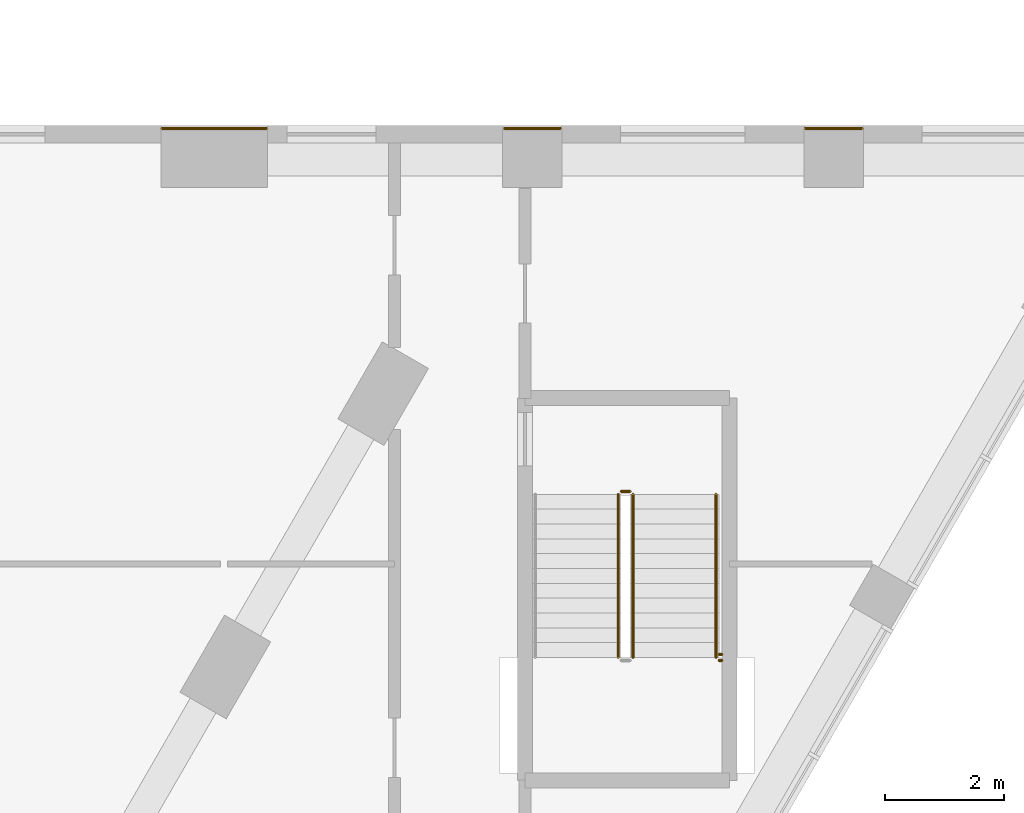
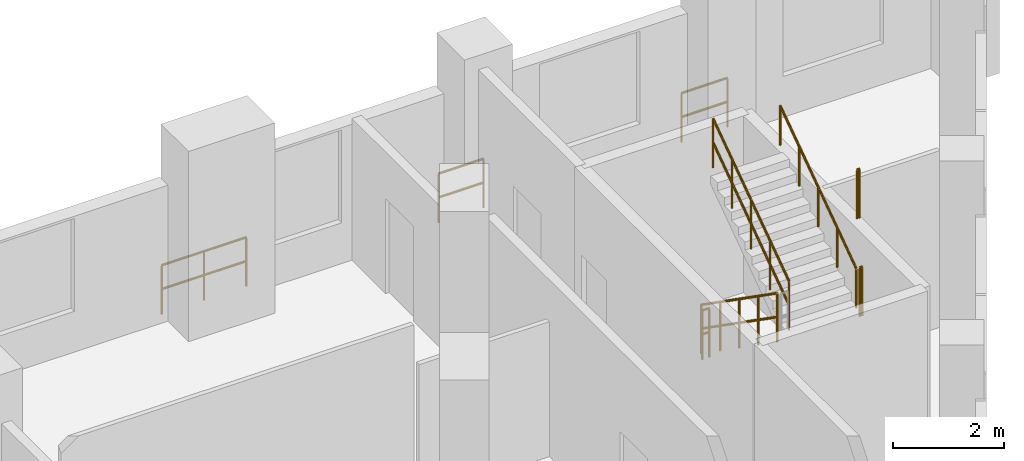
# One storey, part 40 of 47: 9 railings.
"""IFC4 building model written with IfcOpenShell, lengths in metres."""

import ifcopenshell
import ifcopenshell.guid

model = None  # the IFC model being written
_history = None  # IfcOwnerHistory: only IFC2X3 demands one
_inside = {}  # id of a spatial element -> (the spatial element, [elements in it])
_under = {}  # id of a project, library or spatial element -> (it, [spatial elements below it])
_declared = {}  # id of a project -> (the project, [libraries it declares])
_typed = {}  # id of a type object -> (the type object, [elements of that type])
_made_of = {}  # id of a material, layer set ... -> (it, [elements and type objects made of it])


def new_model(schema):
    """Start an empty IFC model of exactly this schema.

    Asked for "IFC4X3", IfcOpenShell would pick the latest addendum, in which some entities
    have other attributes; the version numbers below select the first issue.
    IFC2X3 requires an IfcOwnerHistory on every rooted entity: one is made here for all.
    """
    global model, _history
    if schema == "IFC4X3":
        model = ifcopenshell.file(schema_version=(4, 3, 0, 0))
    else:
        model = ifcopenshell.file(schema=schema)
    _inside.clear()
    _under.clear()
    _declared.clear()
    _typed.clear()
    _made_of.clear()
    _history = None
    if model.schema == "IFC2X3":
        org = make("IfcOrganization", Name="unknown")
        user = make(
            "IfcPersonAndOrganization",
            ThePerson=make("IfcPerson", FamilyName="unknown"),
            TheOrganization=org,
        )
        app = make(
            "IfcApplication",
            ApplicationDeveloper=org,
            Version="unknown",
            ApplicationFullName="unknown",
            ApplicationIdentifier="unknown",
        )
        _history = make(
            "IfcOwnerHistory",
            OwningUser=user,
            OwningApplication=app,
            ChangeAction="ADDED",
            CreationDate=0,
        )
    return model


def make(cls, **values):
    """One entity of the class cls with the attributes given. An attribute that is None is left unset."""
    return model.create_entity(
        cls, **{name: value for name, value in values.items() if value is not None}
    )


def rooted(cls, **values):
    """An entity with a GlobalId (a new one), such as an element, a storey or a relation."""
    return make(cls, GlobalId=ifcopenshell.guid.new(), OwnerHistory=_history, **values)


def si_unit(unit_type, name, prefix=None):
    """IfcSIUnit, for example si_unit("LENGTHUNIT", "METRE", prefix="MILLI")."""
    return make("IfcSIUnit", UnitType=unit_type, Prefix=prefix, Name=name)


def assignment(units):
    """IfcUnitAssignment: the units of a project."""
    return None if units is None else make("IfcUnitAssignment", Units=units)


def point(xyz):
    """IfcCartesianPoint."""
    return None if xyz is None else make("IfcCartesianPoint", Coordinates=xyz)


def direction(xyz):
    """IfcDirection."""
    return None if xyz is None else make("IfcDirection", DirectionRatios=xyz)


def frame(location, z_axis=None, x_axis=None):
    """IfcAxis2Placement3D, a coordinate frame: its origin and axes. An axis left out is left unset."""
    return make(
        "IfcAxis2Placement3D",
        Location=point(location),
        Axis=direction(z_axis),
        RefDirection=direction(x_axis),
    )


def frame_2d(location, x_axis=None):
    """IfcAxis2Placement2D, a coordinate frame in the plane: its origin and x axis."""
    return make(
        "IfcAxis2Placement2D", Location=point(location), RefDirection=direction(x_axis)
    )


def origin():
    """The frame at (0, 0, 0) with its axes left unset."""
    return frame((0.0, 0.0, 0.0))


def origin_2d():
    """The frame at (0, 0) in the plane with its x axis left unset."""
    return frame_2d((0.0, 0.0))


def place(relative_to, where):
    """IfcLocalPlacement: puts the frame where relative to a parent placement (None: the world)."""
    return make(
        "IfcLocalPlacement", PlacementRelTo=relative_to, RelativePlacement=where
    )


def context(
    kind, dimensions, precision=None, world=None, true_north=None, identifier=None
):
    """IfcGeometricRepresentationContext, for example the 3D "Model" context."""
    return make(
        "IfcGeometricRepresentationContext",
        ContextIdentifier=identifier,
        ContextType=kind,
        CoordinateSpaceDimension=dimensions,
        Precision=precision,
        WorldCoordinateSystem=world,
        TrueNorth=true_north,
    )


def subcontext(parent, identifier, kind, view, scale=None):
    """IfcGeometricRepresentationSubContext, for example "Body" below "Model"."""
    return make(
        "IfcGeometricRepresentationSubContext",
        ContextIdentifier=identifier,
        ContextType=kind,
        ParentContext=parent,
        TargetScale=scale,
        TargetView=view,
    )


def project(units=None, contexts=None):
    """IfcProject with its units and contexts."""
    return rooted(
        "IfcProject",
        Name="project",
        RepresentationContexts=contexts,
        UnitsInContext=assignment(units),
    )


def spatial(cls, under=None, at=None, **own):
    """A site, building, storey or space (cls), placed at a placement, below another one or the project."""
    s = rooted(cls, ObjectPlacement=at, **own)
    if under is not None:
        _under.setdefault(under.id(), (under, []))[1].append(s)
    return s


def profile(cls, at=None, kind="AREA", **sizes):
    """A parametric profile (cls). Its sizes go by their IFC names, for example OverallWidth=200.0."""
    return make(cls, ProfileType=kind, Position=at, **sizes)


def circle(**sizes):
    """IfcCircleProfileDef."""
    return profile("IfcCircleProfileDef", **sizes)


def extrude(swept, where, along, depth):
    """IfcExtrudedAreaSolid: the profile swept, set in the frame where, extruded along a direction by depth."""
    return make(
        "IfcExtrudedAreaSolid",
        SweptArea=swept,
        Position=where,
        ExtrudedDirection=direction(along),
        Depth=depth,
    )


def shape(context_of_items, identifier, shape_type, items):
    """IfcShapeRepresentation: the items that make up one representation, for example the "Body"."""
    return make(
        "IfcShapeRepresentation",
        ContextOfItems=context_of_items,
        RepresentationIdentifier=identifier,
        RepresentationType=shape_type,
        Items=items,
    )


def material(Name=None, Category=None):
    """IfcMaterial."""
    return make("IfcMaterial", Name=Name, Category=Category)


def made_of(thing, what):
    """Note that an element or type object is made of a material, layer set ...; save() writes the relation."""
    if what is not None:
        _made_of.setdefault(what.id(), (what, []))[1].append(thing)
    return thing


def type_object(cls, material=None, **own):
    """A type object (cls), such as IfcWallType, which elements share."""
    return made_of(rooted(cls, **own), material)


def element(
    cls,
    number,
    at=None,
    inside=None,
    cuts=None,
    type_object=None,
    material=None,
    context=None,
    identifier="Body",
    shape_type=None,
    held_by="IfcProductDefinitionShape",
    body=None,
    shapes=None,
    **own,
):
    """One element of the class cls, such as IfcWall. Its Tag is "e" and its number.

    at: its placement. inside: the storey or other place that contains it. cuts: it is an
    opening in that element (IfcRelVoidsElement). A single representation is given by context,
    identifier, shape_type and body (its items); several are given by shapes. held_by: the class
    of the entity that holds the representations. save() writes the other relations.
    """
    e = rooted(cls, Tag="e%d" % number, ObjectPlacement=at, **own)
    if body is not None:
        shapes = [shape(context, identifier, shape_type, body)]
    if shapes is not None:
        e.Representation = make(held_by, Representations=shapes)
    if inside is not None:
        _inside.setdefault(inside.id(), (inside, []))[1].append(e)
    if cuts is not None:
        rooted(
            "IfcRelVoidsElement", RelatingBuildingElement=cuts, RelatedOpeningElement=e
        )
    if type_object is not None:
        _typed.setdefault(type_object.id(), (type_object, []))[1].append(e)
    return made_of(e, material)


def aggregate(whole, parts):
    """IfcRelAggregates: a whole, such as a stair, and the parts it consists of."""
    return rooted("IfcRelAggregates", RelatingObject=whole, RelatedObjects=parts)


def save(model, path):
    """Write the relations noted so far, then the file.

    IfcRelAggregates (storeys below a building ...), IfcRelContainedInSpatialStructure (elements
    in a storey), IfcRelDefinesByType, IfcRelAssociatesMaterial and IfcRelDeclares: one each for
    every whole, place, type object, material and project.
    """
    for whole, parts in _under.values():
        aggregate(whole, parts)
    for where, things in _inside.values():
        rooted(
            "IfcRelContainedInSpatialStructure",
            RelatedElements=things,
            RelatingStructure=where,
        )
    for kind, things in _typed.values():
        rooted("IfcRelDefinesByType", RelatedObjects=things, RelatingType=kind)
    for what, things in _made_of.values():
        rooted("IfcRelAssociatesMaterial", RelatedObjects=things, RelatingMaterial=what)
    for by, libraries in _declared.values():
        rooted("IfcRelDeclares", RelatingContext=by, RelatedDefinitions=libraries)
    model.write(path)


model = new_model("IFC4")

# Units and contexts
model_context = context("Model", 3, precision=1e-05, world=origin(), true_north=direction((0.0, 1.0)))
body_context = subcontext(model_context, "Body", "Model", "MODEL_VIEW")
ifc_project = project(units=[si_unit("LENGTHUNIT", "METRE"), si_unit("AREAUNIT", "SQUARE_METRE"), si_unit("VOLUMEUNIT", "CUBIC_METRE"), si_unit("PLANEANGLEUNIT", "RADIAN"), si_unit("MASSUNIT", "GRAM", prefix="KILO")], contexts=[model_context])

# Site, building, storey
site_placement = place(None, origin())
site = spatial("IfcSite", under=ifc_project, at=site_placement, CompositionType="ELEMENT")
building_placement = place(site_placement, origin())
building = spatial("IfcBuilding", under=site, at=building_placement, Name="Nakaniwa Court", CompositionType="ELEMENT")
storey_placement = place(building_placement, frame((0.0, 0.0, 15.60009765625)))
storey = spatial("IfcBuildingStorey", under=building, at=storey_placement, Name="L03", CompositionType="ELEMENT", Elevation=15.60009765625)

# Railings
ifc_material_1 = material(Name="Black powder coated steel guard", Category="steel")
railing_type_1 = type_object("IfcRailingType", Name="Stair guard 1100", PredefinedType="GUARDRAIL", material=ifc_material_1)
railing_1_placement = place(storey_placement, frame((104.27490234375, 66.375, 0.1748046875)))
element("IfcRailing", 1, at=railing_1_placement, inside=storey, type_object=railing_type_1, Name="L03 SS3 stair guard 1", PredefinedType="GUARDRAIL", context=body_context, shape_type="SweptSolid", body=[
    extrude(circle(Radius=0.02392578125, at=origin_2d()), frame((0.0, 0.0, 1.076171875), z_axis=(0.0, -0.819225086817, 0.573472106672), x_axis=(1.0, 0.0, 0.0)), (0.0, 0.0, 1.0), 3.35693359375),
    extrude(circle(Radius=0.02392578125, at=origin_2d()), frame((0.0, 0.0, 0.550048828125), z_axis=(0.0, -0.819225086817, 0.573472106672), x_axis=(1.0, 0.0, 0.0)), (0.0, 0.0, 1.0), 3.35693359375),
    extrude(circle(Radius=0.02099609375, at=origin_2d()), origin(), (0.0, 0.0, 1.0), 1.052001953125),
    extrude(circle(Radius=0.02099609375, at=origin_2d()), frame((0.0, -0.6875, 0.481201171875)), (0.0, 0.0, 1.0), 1.052001953125),
    extrude(circle(Radius=0.02099609375, at=origin_2d()), frame((0.0, -1.375, 0.96240234375)), (0.0, 0.0, 1.0), 1.052001953125),
    extrude(circle(Radius=0.02099609375, at=origin_2d()), frame((0.0, -2.0625, 1.44384765625)), (0.0, 0.0, 1.0), 1.052001953125),
    extrude(circle(Radius=0.02099609375, at=origin_2d()), frame((0.0, -2.75, 1.925048828125)), (0.0, 0.0, 1.0), 1.052001953125),
])
railing_2_placement = place(storey_placement, frame((104.52490234375, 63.625, 2.27490234375)))
element("IfcRailing", 2, at=railing_2_placement, inside=storey, type_object=railing_type_1, Name="L03 SS3 stair guard 3", PredefinedType="GUARDRAIL", context=body_context, shape_type="SweptSolid", body=[
    extrude(circle(Radius=0.02392578125, at=origin_2d()), frame((0.0, 0.0, 1.076171875), z_axis=(0.0, 0.819225086817, 0.573472106672), x_axis=(-1.0, 0.0, 0.0)), (0.0, 0.0, 1.0), 3.35693359375),
    extrude(circle(Radius=0.02392578125, at=origin_2d()), frame((0.0, 0.0, 0.550048828125), z_axis=(0.0, 0.819225086817, 0.573472106672), x_axis=(-1.0, 0.0, 0.0)), (0.0, 0.0, 1.0), 3.35693359375),
    extrude(circle(Radius=0.02099609375, at=origin_2d()), origin(), (0.0, 0.0, 1.0), 1.052001953125),
    extrude(circle(Radius=0.02099609375, at=origin_2d()), frame((0.0, 0.6875, 0.481201171875)), (0.0, 0.0, 1.0), 1.052001953125),
    extrude(circle(Radius=0.02099609375, at=origin_2d()), frame((0.0, 1.375, 0.96240234375)), (0.0, 0.0, 1.0), 1.052001953125),
    extrude(circle(Radius=0.02099609375, at=origin_2d()), frame((0.0, 2.0625, 1.44384765625)), (0.0, 0.0, 1.0), 1.052001953125),
    extrude(circle(Radius=0.02099609375, at=origin_2d()), frame((0.0, 2.75, 1.925048828125)), (0.0, 0.0, 1.0), 1.052001953125),
])
railing_3_placement = place(storey_placement, frame((104.324951171875, 66.425048828125, 0.0)))
element("IfcRailing", 3, at=railing_3_placement, inside=storey, type_object=railing_type_1, Name="L03 SS3 stair guard 4", PredefinedType="GUARDRAIL", context=body_context, shape_type="SweptSolid", body=[
    extrude(circle(Radius=0.02392578125, at=origin_2d()), frame((0.0, 0.0, 1.076171875), z_axis=(1.0, 0.0, 0.0), x_axis=(0.0, 1.0, 0.0)), (0.0, 0.0, 1.0), 0.150146484375),
    extrude(circle(Radius=0.02392578125, at=origin_2d()), frame((0.0, 0.0, 0.550048828125), z_axis=(1.0, 0.0, 0.0), x_axis=(0.0, 1.0, 0.0)), (0.0, 0.0, 1.0), 0.150146484375),
    extrude(circle(Radius=0.02099609375, at=origin_2d()), origin(), (0.0, 0.0, 1.0), 1.052001953125),
    extrude(circle(Radius=0.02099609375, at=origin_2d()), frame((0.150146484375, 0.0, 0.0)), (0.0, 0.0, 1.0), 1.052001953125),
])
for number, where, name in (
    (4, (105.97509765625, 63.574951171875, 2.099853515625), "L03 SS3 landing side guard 1E"),
    (5, (105.97509765625, 63.675048828125, 4.199951171875), "L03 SS3 floor edge guard 1E"),
):
    element("IfcRailing", number, at=place(storey_placement, frame(where)), inside=storey, type_object=railing_type_1, Name=name, PredefinedType="GUARDRAIL", context=body_context, shape_type="SweptSolid", body=[
        extrude(circle(Radius=0.02392578125, at=origin_2d()), frame((0.0, 0.0, 1.076171875), z_axis=(1.0, 0.0, 0.0), x_axis=(0.0, 1.0, 0.0)), (0.0, 0.0, 1.0), 0.0498046875),
        extrude(circle(Radius=0.02392578125, at=origin_2d()), frame((0.0, 0.0, 0.550048828125), z_axis=(1.0, 0.0, 0.0), x_axis=(0.0, 1.0, 0.0)), (0.0, 0.0, 1.0), 0.0498046875),
        extrude(circle(Radius=0.02099609375, at=origin_2d()), origin(), (0.0, 0.0, 1.0), 1.052001953125),
        extrude(circle(Radius=0.02099609375, at=origin_2d()), frame((0.0498046875, 0.0, 0.0)), (0.0, 0.0, 1.0), 1.052001953125),
    ])
railing_4_placement = place(storey_placement, frame((96.573974609375, 72.550048828125, 0.0)))
element("IfcRailing", 6, at=railing_4_placement, inside=storey, type_object=railing_type_1, Name="GUARD GD-L03-047", PredefinedType="GUARDRAIL", context=body_context, shape_type="SweptSolid", body=[
    extrude(circle(Radius=0.02392578125, at=origin_2d()), frame((0.0, 0.0, 1.076171875), z_axis=(1.0, 0.0, 0.0), x_axis=(0.0, 1.0, 0.0)), (0.0, 0.0, 1.0), 1.768310546875),
    extrude(circle(Radius=0.02392578125, at=origin_2d()), frame((0.0, 0.0, 0.550048828125), z_axis=(1.0, 0.0, 0.0), x_axis=(0.0, 1.0, 0.0)), (0.0, 0.0, 1.0), 1.768310546875),
    extrude(circle(Radius=0.02099609375, at=origin_2d()), origin(), (0.0, 0.0, 1.0), 1.052001953125),
    extrude(circle(Radius=0.02099609375, at=origin_2d()), frame((0.88427734375, 0.0, 0.0)), (0.0, 0.0, 1.0), 1.052001953125),
    extrude(circle(Radius=0.02099609375, at=origin_2d()), frame((1.768310546875, 0.0, 0.0)), (0.0, 0.0, 1.0), 1.052001953125),
])
railing_5_placement = place(storey_placement, frame((102.356689453125, 72.550048828125, 0.0)))
element("IfcRailing", 7, at=railing_5_placement, inside=storey, type_object=railing_type_1, Name="GUARD GD-L03-048", PredefinedType="GUARDRAIL", context=body_context, shape_type="SweptSolid", body=[
    extrude(circle(Radius=0.02392578125, at=origin_2d()), frame((0.0, 0.0, 1.076171875), z_axis=(1.0, 0.0, 0.0), x_axis=(0.0, 1.0, 0.0)), (0.0, 0.0, 1.0), 0.939453125),
    extrude(circle(Radius=0.02392578125, at=origin_2d()), frame((0.0, 0.0, 0.550048828125), z_axis=(1.0, 0.0, 0.0), x_axis=(0.0, 1.0, 0.0)), (0.0, 0.0, 1.0), 0.939453125),
    extrude(circle(Radius=0.02099609375, at=origin_2d()), origin(), (0.0, 0.0, 1.0), 1.052001953125),
    extrude(circle(Radius=0.02099609375, at=origin_2d()), frame((0.939453125, 0.0, 0.0)), (0.0, 0.0, 1.0), 1.052001953125),
])
railing_6_placement = place(storey_placement, frame((107.430419921875, 72.550048828125, 0.0)))
element("IfcRailing", 8, at=railing_6_placement, inside=storey, type_object=railing_type_1, Name="GUARD GD-L03-049", PredefinedType="GUARDRAIL", context=body_context, shape_type="SweptSolid", body=[
    extrude(circle(Radius=0.02392578125, at=origin_2d()), frame((0.0, 0.0, 1.076171875), z_axis=(1.0, 0.0, 0.0), x_axis=(0.0, 1.0, 0.0)), (0.0, 0.0, 1.0), 0.95947265625),
    extrude(circle(Radius=0.02392578125, at=origin_2d()), frame((0.0, 0.0, 0.550048828125), z_axis=(1.0, 0.0, 0.0), x_axis=(0.0, 1.0, 0.0)), (0.0, 0.0, 1.0), 0.95947265625),
    extrude(circle(Radius=0.02099609375, at=origin_2d()), origin(), (0.0, 0.0, 1.0), 1.052001953125),
    extrude(circle(Radius=0.02099609375, at=origin_2d()), frame((0.95947265625, 0.0, 0.0)), (0.0, 0.0, 1.0), 1.052001953125),
])
ifc_material_2 = material(Name="Black powder coated steel handrail", Category="steel")
railing_type_2 = type_object("IfcRailingType", Name="Stair handrail 900", PredefinedType="HANDRAIL", material=ifc_material_2)
railing_7_placement = place(storey_placement, frame((105.925048828125, 63.625, 2.27490234375)))
element("IfcRailing", 9, at=railing_7_placement, inside=storey, type_object=railing_type_2, Name="L03 SS3 stair handrail 2", PredefinedType="HANDRAIL", context=body_context, shape_type="SweptSolid", body=[
    extrude(circle(Radius=0.02392578125, at=origin_2d()), frame((0.0, 0.0, 0.8759765625), z_axis=(0.0, 0.819225086817, 0.573472106672), x_axis=(-1.0, 0.0, 0.0)), (0.0, 0.0, 1.0), 3.35693359375),
    extrude(circle(Radius=0.02099609375, at=origin_2d()), origin(), (0.0, 0.0, 1.0), 0.851806640625),
    extrude(circle(Radius=0.02099609375, at=origin_2d()), frame((0.0, 0.6875, 0.481201171875)), (0.0, 0.0, 1.0), 0.851806640625),
    extrude(circle(Radius=0.02099609375, at=origin_2d()), frame((0.0, 1.375, 0.96240234375)), (0.0, 0.0, 1.0), 0.851806640625),
    extrude(circle(Radius=0.02099609375, at=origin_2d()), frame((0.0, 2.0625, 1.44384765625)), (0.0, 0.0, 1.0), 0.851806640625),
    extrude(circle(Radius=0.02099609375, at=origin_2d()), frame((0.0, 2.75, 1.925048828125)), (0.0, 0.0, 1.0), 0.851806640625),
])

save(model, "model.ifc")
